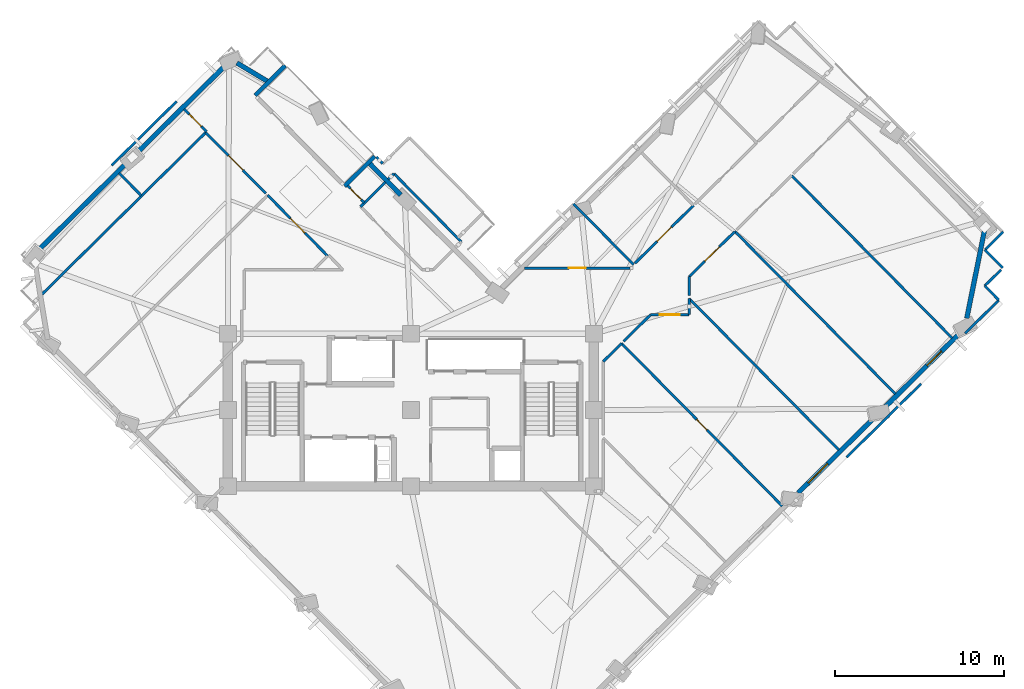
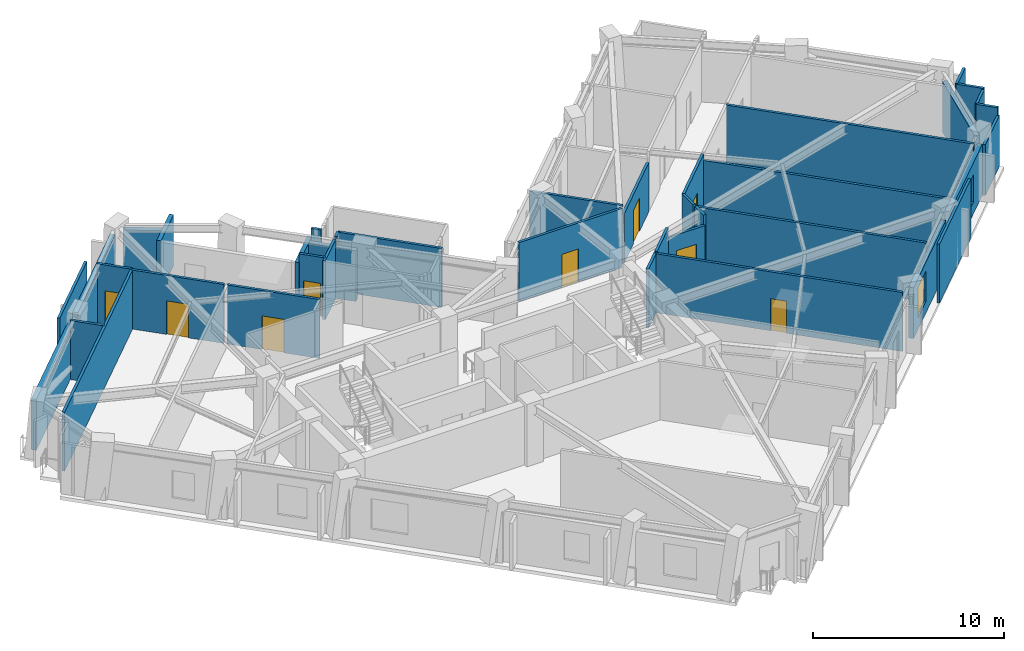
# One storey, part 6 of 11: 39 walls, 9 doors, 2 windows, 11 openings.
"""IFC4 building model written with IfcOpenShell, lengths in metres."""

import ifcopenshell
import ifcopenshell.guid

model = None  # the IFC model being written
_history = None  # IfcOwnerHistory: only IFC2X3 demands one
_inside = {}  # id of a spatial element -> (the spatial element, [elements in it])
_under = {}  # id of a project, library or spatial element -> (it, [spatial elements below it])
_declared = {}  # id of a project -> (the project, [libraries it declares])
_typed = {}  # id of a type object -> (the type object, [elements of that type])
_made_of = {}  # id of a material, layer set ... -> (it, [elements and type objects made of it])


def new_model(schema):
    """Start an empty IFC model of exactly this schema.

    Asked for "IFC4X3", IfcOpenShell would pick the latest addendum, in which some entities
    have other attributes; the version numbers below select the first issue.
    IFC2X3 requires an IfcOwnerHistory on every rooted entity: one is made here for all.
    """
    global model, _history
    if schema == "IFC4X3":
        model = ifcopenshell.file(schema_version=(4, 3, 0, 0))
    else:
        model = ifcopenshell.file(schema=schema)
    _inside.clear()
    _under.clear()
    _declared.clear()
    _typed.clear()
    _made_of.clear()
    _history = None
    if model.schema == "IFC2X3":
        org = make("IfcOrganization", Name="unknown")
        user = make(
            "IfcPersonAndOrganization",
            ThePerson=make("IfcPerson", FamilyName="unknown"),
            TheOrganization=org,
        )
        app = make(
            "IfcApplication",
            ApplicationDeveloper=org,
            Version="unknown",
            ApplicationFullName="unknown",
            ApplicationIdentifier="unknown",
        )
        _history = make(
            "IfcOwnerHistory",
            OwningUser=user,
            OwningApplication=app,
            ChangeAction="ADDED",
            CreationDate=0,
        )
    return model


def make(cls, **values):
    """One entity of the class cls with the attributes given. An attribute that is None is left unset."""
    return model.create_entity(
        cls, **{name: value for name, value in values.items() if value is not None}
    )


def rooted(cls, **values):
    """An entity with a GlobalId (a new one), such as an element, a storey or a relation."""
    return make(cls, GlobalId=ifcopenshell.guid.new(), OwnerHistory=_history, **values)


def si_unit(unit_type, name, prefix=None):
    """IfcSIUnit, for example si_unit("LENGTHUNIT", "METRE", prefix="MILLI")."""
    return make("IfcSIUnit", UnitType=unit_type, Prefix=prefix, Name=name)


def assignment(units):
    """IfcUnitAssignment: the units of a project."""
    return None if units is None else make("IfcUnitAssignment", Units=units)


def point(xyz):
    """IfcCartesianPoint."""
    return None if xyz is None else make("IfcCartesianPoint", Coordinates=xyz)


def direction(xyz):
    """IfcDirection."""
    return None if xyz is None else make("IfcDirection", DirectionRatios=xyz)


def frame(location, z_axis=None, x_axis=None):
    """IfcAxis2Placement3D, a coordinate frame: its origin and axes. An axis left out is left unset."""
    return make(
        "IfcAxis2Placement3D",
        Location=point(location),
        Axis=direction(z_axis),
        RefDirection=direction(x_axis),
    )


def frame_2d(location, x_axis=None):
    """IfcAxis2Placement2D, a coordinate frame in the plane: its origin and x axis."""
    return make(
        "IfcAxis2Placement2D", Location=point(location), RefDirection=direction(x_axis)
    )


def origin():
    """The frame at (0, 0, 0) with its axes left unset."""
    return frame((0.0, 0.0, 0.0))


def place(relative_to, where):
    """IfcLocalPlacement: puts the frame where relative to a parent placement (None: the world)."""
    return make(
        "IfcLocalPlacement", PlacementRelTo=relative_to, RelativePlacement=where
    )


def context(
    kind, dimensions, precision=None, world=None, true_north=None, identifier=None
):
    """IfcGeometricRepresentationContext, for example the 3D "Model" context."""
    return make(
        "IfcGeometricRepresentationContext",
        ContextIdentifier=identifier,
        ContextType=kind,
        CoordinateSpaceDimension=dimensions,
        Precision=precision,
        WorldCoordinateSystem=world,
        TrueNorth=true_north,
    )


def subcontext(parent, identifier, kind, view, scale=None):
    """IfcGeometricRepresentationSubContext, for example "Body" below "Model"."""
    return make(
        "IfcGeometricRepresentationSubContext",
        ContextIdentifier=identifier,
        ContextType=kind,
        ParentContext=parent,
        TargetScale=scale,
        TargetView=view,
    )


def project(units=None, contexts=None):
    """IfcProject with its units and contexts."""
    return rooted(
        "IfcProject",
        Name="project",
        RepresentationContexts=contexts,
        UnitsInContext=assignment(units),
    )


def spatial(cls, under=None, at=None, **own):
    """A site, building, storey or space (cls), placed at a placement, below another one or the project."""
    s = rooted(cls, ObjectPlacement=at, **own)
    if under is not None:
        _under.setdefault(under.id(), (under, []))[1].append(s)
    return s


def profile(cls, at=None, kind="AREA", **sizes):
    """A parametric profile (cls). Its sizes go by their IFC names, for example OverallWidth=200.0."""
    return make(cls, ProfileType=kind, Position=at, **sizes)


def rectangle(**sizes):
    """IfcRectangleProfileDef."""
    return profile("IfcRectangleProfileDef", **sizes)


def extrude(swept, where, along, depth):
    """IfcExtrudedAreaSolid: the profile swept, set in the frame where, extruded along a direction by depth."""
    return make(
        "IfcExtrudedAreaSolid",
        SweptArea=swept,
        Position=where,
        ExtrudedDirection=direction(along),
        Depth=depth,
    )


def shape(context_of_items, identifier, shape_type, items):
    """IfcShapeRepresentation: the items that make up one representation, for example the "Body"."""
    return make(
        "IfcShapeRepresentation",
        ContextOfItems=context_of_items,
        RepresentationIdentifier=identifier,
        RepresentationType=shape_type,
        Items=items,
    )


def material(Name=None, Category=None):
    """IfcMaterial."""
    return make("IfcMaterial", Name=Name, Category=Category)


def layer(
    of_material, thickness, ventilated=None, Name=None, Category=None, Priority=None
):
    """IfcMaterialLayer: one layer of a wall or slab, of a material (None: an air gap)."""
    return make(
        "IfcMaterialLayer",
        Material=of_material,
        LayerThickness=thickness,
        IsVentilated=ventilated,
        Name=Name,
        Category=Category,
        Priority=Priority,
    )


def layer_set(layers, Name=None):
    """IfcMaterialLayerSet."""
    return make("IfcMaterialLayerSet", MaterialLayers=layers, LayerSetName=Name)


def made_of(thing, what):
    """Note that an element or type object is made of a material, layer set ...; save() writes the relation."""
    if what is not None:
        _made_of.setdefault(what.id(), (what, []))[1].append(thing)
    return thing


def type_object(cls, material=None, **own):
    """A type object (cls), such as IfcWallType, which elements share."""
    return made_of(rooted(cls, **own), material)


def element(
    cls,
    number,
    at=None,
    inside=None,
    cuts=None,
    type_object=None,
    material=None,
    context=None,
    identifier="Body",
    shape_type=None,
    held_by="IfcProductDefinitionShape",
    body=None,
    shapes=None,
    **own,
):
    """One element of the class cls, such as IfcWall. Its Tag is "e" and its number.

    at: its placement. inside: the storey or other place that contains it. cuts: it is an
    opening in that element (IfcRelVoidsElement). A single representation is given by context,
    identifier, shape_type and body (its items); several are given by shapes. held_by: the class
    of the entity that holds the representations. save() writes the other relations.
    """
    e = rooted(cls, Tag="e%d" % number, ObjectPlacement=at, **own)
    if body is not None:
        shapes = [shape(context, identifier, shape_type, body)]
    if shapes is not None:
        e.Representation = make(held_by, Representations=shapes)
    if inside is not None:
        _inside.setdefault(inside.id(), (inside, []))[1].append(e)
    if cuts is not None:
        rooted(
            "IfcRelVoidsElement", RelatingBuildingElement=cuts, RelatedOpeningElement=e
        )
    if type_object is not None:
        _typed.setdefault(type_object.id(), (type_object, []))[1].append(e)
    return made_of(e, material)


def fill(opening, filler):
    """IfcRelFillsElement: the door or window that sits in an opening."""
    return rooted(
        "IfcRelFillsElement",
        RelatingOpeningElement=opening,
        RelatedBuildingElement=filler,
    )


def aggregate(whole, parts):
    """IfcRelAggregates: a whole, such as a stair, and the parts it consists of."""
    return rooted("IfcRelAggregates", RelatingObject=whole, RelatedObjects=parts)


def save(model, path):
    """Write the relations noted so far, then the file.

    IfcRelAggregates (storeys below a building ...), IfcRelContainedInSpatialStructure (elements
    in a storey), IfcRelDefinesByType, IfcRelAssociatesMaterial and IfcRelDeclares: one each for
    every whole, place, type object, material and project.
    """
    for whole, parts in _under.values():
        aggregate(whole, parts)
    for where, things in _inside.values():
        rooted(
            "IfcRelContainedInSpatialStructure",
            RelatedElements=things,
            RelatingStructure=where,
        )
    for kind, things in _typed.values():
        rooted("IfcRelDefinesByType", RelatedObjects=things, RelatingType=kind)
    for what, things in _made_of.values():
        rooted("IfcRelAssociatesMaterial", RelatedObjects=things, RelatingMaterial=what)
    for by, libraries in _declared.values():
        rooted("IfcRelDeclares", RelatingContext=by, RelatedDefinitions=libraries)
    model.write(path)


model = new_model("IFC4")

# Units and contexts
model_context = context("Model", 3, precision=1e-05, world=origin(), true_north=direction((0.0, 1.0)))
body_context = subcontext(model_context, "Body", "Model", "MODEL_VIEW")
ifc_project = project(units=[si_unit("LENGTHUNIT", "METRE"), si_unit("AREAUNIT", "SQUARE_METRE"), si_unit("VOLUMEUNIT", "CUBIC_METRE"), si_unit("PLANEANGLEUNIT", "RADIAN"), si_unit("MASSUNIT", "GRAM", prefix="KILO")], contexts=[model_context])

# Site, building, storey
site_placement = place(None, origin())
site = spatial("IfcSite", under=ifc_project, at=site_placement, CompositionType="ELEMENT")
building_placement = place(site_placement, origin())
building = spatial("IfcBuilding", under=site, at=building_placement, Name="Gaonmaruhae Medical Tower", CompositionType="ELEMENT")
storey_placement = place(building_placement, frame((0.0, 0.0, 215.199951171875)))
storey = spatial("IfcBuildingStorey", under=building, at=storey_placement, Name="L51", CompositionType="ELEMENT", Elevation=215.199951171875)

# Walls
ifc_material_1 = material(Name="Precast concrete C45/55", Category="concrete")
ifc_layer_1 = layer(ifc_material_1, 0.239990234375)
ifc_layer_set_1 = layer_set([ifc_layer_1], Name="Precast concrete C45/55")
wall_type_1 = type_object("IfcWallType", Name="EW-240 Ribbon & Shelter Insulated Precast Wall", PredefinedType="SOLIDWALL", material=ifc_layer_set_1)
wall_1_placement = place(storey_placement, frame((20.890380859375, 25.513916015625, 0.0), z_axis=(0.0, 0.0, 1.0), x_axis=(0.71139038819, 0.702797065725, 0.0)))
element("IfcWall", 1, at=wall_1_placement, inside=storey, type_object=wall_type_1, Name="L51 Recessed Terrace Enclosure Wall TERL", PredefinedType="SOLIDWALL", context=body_context, shape_type="SweptSolid", body=[
    extrude(rectangle(XDim=2.500244140625, YDim=0.239990234375, at=frame_2d((1.25, 0.0))), origin(), (0.0, 0.0, 1.0), 3.26513671875),
])
wall_2_placement = place(storey_placement, frame((17.384033203125, 32.620849609375, 0.0), z_axis=(0.0, 0.0, 1.0), x_axis=(-0.711439211914, -0.702747641583, 0.0)))
element("IfcWall", 2, at=wall_2_placement, inside=storey, type_object=wall_type_1, Name="L51 Recessed Terrace Enclosure Wall TERR", PredefinedType="SOLIDWALL", context=body_context, shape_type="SweptSolid", body=[
    extrude(rectangle(XDim=2.5, YDim=0.239990234375, at=frame_2d((1.25, 0.0))), origin(), (0.0, 0.0, 1.0), 3.26513671875),
])

# Wall, opening, window
ifc_layer_2 = layer(ifc_material_1, 0.280029296875)
ifc_layer_set_2 = layer_set([ifc_layer_2], Name="Precast concrete C45/55")
wall_type_2 = type_object("IfcWallType", Name="EW-280 Upper Precast Masonry-Frame Facade Wall", PredefinedType="SOLIDWALL", material=ifc_layer_set_2)
wall_3_placement = place(storey_placement, frame((52.21630859375, 11.91455078125, 0.0), z_axis=(0.0, 0.0, 1.0), x_axis=(-0.711418692423, -0.702768414252, 0.0)))
wall_3 = element("IfcWall", 3, at=wall_3_placement, inside=storey, type_object=wall_type_2, Name="L51 Precast Masonry-Frame Wall S04-S05", PredefinedType="SOLIDWALL", context=body_context, shape_type="SweptSolid", body=[
    extrude(rectangle(XDim=6.40673828125, YDim=0.280029296875, at=frame_2d((3.203369140625, 0.0))), origin(), (0.0, 0.0, 1.0), 3.26513671875),
])
opening_1_placement = place(wall_3_placement, frame((3.969970703125, 0.0, 0.75)))
opening_1 = element("IfcOpeningElement", 4, at=opening_1_placement, cuts=wall_3, Name="Opening WN-01", PredefinedType="OPENING", context=body_context, shape_type="SweptSolid", body=[
    extrude(rectangle(XDim=1.60009765625, YDim=1.949951171875, at=frame_2d((0.800048828125, 0.97509765625))), frame((0.0, 0.14990234375, 0.0), z_axis=(0.0, -1.0, 0.0), x_axis=(1.0, 0.0, 0.0)), (0.0, 0.0, 1.0), 0.300048828125),
])
ifc_material_2 = material(Name="Anodised aluminium and Low-E double glazing", Category="aluminium")
window_type_1 = type_object("IfcWindowType", Name="WN-01 Ward Punched Acoustic Window 1600x1950", PartitioningType="SINGLE_PANEL", PredefinedType="WINDOW", material=ifc_material_2)
window_1_placement = place(opening_1_placement, origin())
window_1 = element("IfcWindow", 5, at=window_1_placement, inside=storey, type_object=window_type_1, Name="L51 Modular Facade Window S04", OverallHeight=1.949951171875, OverallWidth=1.60009765625, PartitioningType="SINGLE_PANEL", PredefinedType="WINDOW", context=body_context, shape_type="SweptSolid", body=[
    extrude(rectangle(XDim=1.60009765625, YDim=1.949951171875, at=frame_2d((0.800048828125, 0.97509765625))), frame((0.0, 0.030029296875, 0.0), z_axis=(0.0, -1.0, 0.0), x_axis=(1.0, 0.0, 0.0)), (0.0, 0.0, 1.0), 0.06005859375),
])
fill(opening_1, window_1)

wall_4_placement = place(storey_placement, frame((57.345703125, 16.9814453125, 0.0), z_axis=(0.0, 0.0, 1.0), x_axis=(-0.711410830426, -0.702776372932, 0.0)))
wall_4 = element("IfcWall", 6, at=wall_4_placement, inside=storey, type_object=wall_type_2, Name="L51 Precast Masonry-Frame Wall S05-S06", PredefinedType="SOLIDWALL", context=body_context, shape_type="SweptSolid", body=[
    extrude(rectangle(XDim=6.41845703125, YDim=0.280029296875, at=frame_2d((3.209228515625, 0.0))), origin(), (0.0, 0.0, 1.0), 3.26513671875),
])
opening_2_placement = place(wall_4_placement, frame((1.730712890625, 0.0, 0.75)))
opening_2 = element("IfcOpeningElement", 7, at=opening_2_placement, cuts=wall_4, Name="Opening WN-05", PredefinedType="OPENING", context=body_context, shape_type="SweptSolid", body=[
    extrude(rectangle(XDim=1.199951171875, YDim=1.75, at=frame_2d((0.60009765625, 0.875))), frame((0.0, 0.14990234375, 0.0), z_axis=(0.0, -1.0, 0.0), x_axis=(1.0, 0.0, 0.0)), (0.0, 0.0, 1.0), 0.300048828125),
])
window_type_2 = type_object("IfcWindowType", Name="WN-05 Support & Staff Punched Window 1200x1750", PartitioningType="SINGLE_PANEL", PredefinedType="WINDOW", material=ifc_material_2)
window_2_placement = place(opening_2_placement, origin())
window_2 = element("IfcWindow", 8, at=window_2_placement, inside=storey, type_object=window_type_2, Name="L51 Modular Facade Window S05", OverallHeight=1.75, OverallWidth=1.199951171875, PartitioningType="SINGLE_PANEL", PredefinedType="WINDOW", context=body_context, shape_type="SweptSolid", body=[
    extrude(rectangle(XDim=1.199951171875, YDim=1.75, at=frame_2d((0.60009765625, 0.875))), frame((0.0, 0.030029296875, 0.0), z_axis=(0.0, -1.0, 0.0), x_axis=(1.0, 0.0, 0.0)), (0.0, 0.0, 1.0), 0.06005859375),
])
fill(opening_2, window_2)

# Walls
wall_5_placement = place(storey_placement, frame((58.65478515625, 22.90478515625, 0.0), z_axis=(0.0, 0.0, 1.0), x_axis=(-0.197650115181, -0.98027263145, 0.0)))
element("IfcWall", 9, at=wall_5_placement, inside=storey, type_object=wall_type_2, Name="L51 Precast Masonry-Frame Wall S06-E01", PredefinedType="SOLIDWALL", context=body_context, shape_type="SweptSolid", body=[
    extrude(rectangle(XDim=5.294189453125, YDim=0.280029296875, at=frame_2d((2.64697265625, 0.0))), origin(), (0.0, 0.0, 1.0), 3.26513671875),
])
wall_6_placement = place(storey_placement, frame((22.320068359375, 26.898193359375, 0.0), z_axis=(0.0, 0.0, 1.0), x_axis=(0.702813375799, -0.711374274765, 0.0)))
element("IfcWall", 10, at=wall_6_placement, inside=storey, type_object=wall_type_2, Name="L51 Precast Masonry-Frame Wall NE01-NE02", PredefinedType="SOLIDWALL", context=body_context, shape_type="SweptSolid", body=[
    extrude(rectangle(XDim=2.6806640625, YDim=0.280029296875, at=frame_2d((1.34033203125, 0.0))), origin(), (0.0, 0.0, 1.0), 3.2451171875),
])
wall_7_placement = place(storey_placement, frame((14.53369140625, 32.781982421875, 0.0), z_axis=(0.0, 0.0, 1.0), x_axis=(0.857423290596, -0.514611796157, 0.0)))
element("IfcWall", 11, at=wall_7_placement, inside=storey, type_object=wall_type_2, Name="L51 Precast Masonry-Frame Wall NE02-N01", PredefinedType="SOLIDWALL", context=body_context, shape_type="SweptSolid", body=[
    extrude(rectangle(XDim=2.165771484375, YDim=0.280029296875, at=frame_2d((1.0830078125, 0.0))), origin(), (0.0, 0.0, 1.0), 3.2451171875),
])
wall_8_placement = place(storey_placement, frame((8.5224609375, 27.366943359375, 0.0), z_axis=(0.0, 0.0, 1.0), x_axis=(0.711412048905, 0.702775139481, 0.0)))
element("IfcWall", 12, at=wall_8_placement, inside=storey, type_object=wall_type_2, Name="L51 Precast Masonry-Frame Wall N01-N02", PredefinedType="SOLIDWALL", context=body_context, shape_type="SweptSolid", body=[
    extrude(rectangle(XDim=7.434326171875, YDim=0.280029296875, at=frame_2d((3.71728515625, 0.0))), origin(), (0.0, 0.0, 1.0), 3.26513671875),
])
wall_9_placement = place(storey_placement, frame((2.666259765625, 21.581787109375, 0.0), z_axis=(0.0, 0.0, 1.0), x_axis=(0.711415560766, 0.702771584443, 0.0)))
element("IfcWall", 13, at=wall_9_placement, inside=storey, type_object=wall_type_2, Name="L51 Precast Masonry-Frame Wall N02-N03", PredefinedType="SOLIDWALL", context=body_context, shape_type="SweptSolid", body=[
    extrude(rectangle(XDim=7.484619140625, YDim=0.280029296875, at=frame_2d((3.7421875, 0.0))), origin(), (0.0, 0.0, 1.0), 3.26513671875),
])

# Wall, opening, door
ifc_material_3 = material(Name="Gypsum board partition", Category="gypsum")
ifc_layer_3 = layer(ifc_material_3, 0.14990234375)
ifc_layer_set_3 = layer_set([ifc_layer_3], Name="Gypsum board partition")
wall_type_3 = type_object("IfcWallType", Name="PW-150 Rated Clinical Corridor Partition", PredefinedType="PARTITIONING", material=ifc_layer_set_3)
wall_10_placement = place(storey_placement, frame((37.235107421875, 16.23193359375, 0.0), z_axis=(0.0, 0.0, 1.0), x_axis=(0.702784644296, -0.711402659358, 0.0)))
wall_10 = element("IfcWall", 14, at=wall_10_placement, inside=storey, type_object=wall_type_3, Name="L51 Interior Partition L51-SUP05-17", PredefinedType="PARTITIONING", context=body_context, shape_type="SweptSolid", body=[
    extrude(rectangle(XDim=13.484619140625, YDim=0.14990234375, at=frame_2d((6.7421875, 0.0))), origin(), (0.0, 0.0, 1.0), 3.780029296875),
])
opening_3_placement = place(wall_10_placement, frame((6.3125, 0.0, 0.0)))
opening_3 = element("IfcOpeningElement", 15, at=opening_3_placement, cuts=wall_10, Name="Opening AD-01", PredefinedType="OPENING", context=body_context, shape_type="SweptSolid", body=[
    extrude(rectangle(XDim=0.860107421875, YDim=2.06005859375, at=frame_2d((0.43017578125, 1.030029296875))), frame((0.0, 0.0849609375, 0.0), z_axis=(0.0, -1.0, 0.0), x_axis=(1.0, 0.0, 0.0)), (0.0, 0.0, 1.0), 0.169921875),
])
ifc_material_4 = material(Name="Powder-coated steel access door", Category="steel")
door_type_1 = type_object("IfcDoorType", Name="AD-01 Riser & Closet Access Fire Door 860x2060", OperationType="NOTDEFINED", PredefinedType="DOOR", material=ifc_material_4)
door_1_placement = place(opening_3_placement, origin())
door_1 = element("IfcDoor", 16, at=door_1_placement, inside=storey, type_object=door_type_1, Name="L51 Clinical Biomedical Charting Office Sliding Door", OperationType="SLIDING_TO_LEFT", OverallHeight=2.06005859375, OverallWidth=0.860107421875, PredefinedType="DOOR", context=body_context, shape_type="SweptSolid", body=[
    extrude(rectangle(XDim=0.860107421875, YDim=2.06005859375, at=frame_2d((0.43017578125, 1.030029296875))), frame((0.0, 0.02490234375, 0.0), z_axis=(0.0, -1.0, 0.0), x_axis=(1.0, 0.0, 0.0)), (0.0, 0.0, 1.0), 0.050048828125),
])
fill(opening_3, door_1)

# Walls
wall_11_placement = place(storey_placement, frame((36.14990234375, 15.159912109375, 0.0), z_axis=(0.0, 0.0, 1.0), x_axis=(0.711414882023, 0.702772271533, 0.0)))
element("IfcWall", 17, at=wall_11_placement, inside=storey, type_object=wall_type_3, Name="L51 Interior Partition L51-SUP05-19", PredefinedType="PARTITIONING", context=body_context, shape_type="SweptSolid", body=[
    extrude(rectangle(XDim=1.525390625, YDim=0.14990234375, at=frame_2d((0.7626953125, 0.0))), origin(), (0.0, 0.0, 1.0), 3.780029296875),
])
wall_12_placement = place(storey_placement, frame((41.22998046875, 17.949951171875, 0.0), z_axis=(0.0, 0.0, 1.0), x_axis=(0.0, 1.0, 0.0)))
element("IfcWall", 18, at=wall_12_placement, inside=storey, type_object=wall_type_3, Name="L51 Interior Partition L51-SUP06-20", PredefinedType="PARTITIONING", context=body_context, shape_type="SweptSolid", body=[
    extrude(rectangle(XDim=0.926025390625, YDim=0.14990234375, at=frame_2d((0.462890625, 0.0))), origin(), (0.0, 0.0, 1.0), 3.780029296875),
])
wall_13_placement = place(storey_placement, frame((41.22998046875, 18.8759765625, 0.0), z_axis=(0.0, 0.0, 1.0), x_axis=(0.702748277784, -0.711438583485, 0.0)))
element("IfcWall", 19, at=wall_13_placement, inside=storey, type_object=wall_type_3, Name="L51 Interior Partition L51-SUP06-21", PredefinedType="PARTITIONING", context=body_context, shape_type="SweptSolid", body=[
    extrude(rectangle(XDim=12.557861328125, YDim=0.14990234375, at=frame_2d((6.27880859375, 0.0))), origin(), (0.0, 0.0, 1.0), 3.780029296875),
])
wall_14_placement = place(storey_placement, frame((37.34912109375, 16.344970703125, 0.0), z_axis=(0.0, 0.0, 1.0), x_axis=(0.711558299302, 0.70262706089, 0.0)))
element("IfcWall", 20, at=wall_14_placement, inside=storey, type_object=wall_type_3, Name="L51 Interior Partition L51-SUP06-23", PredefinedType="PARTITIONING", context=body_context, shape_type="SweptSolid", body=[
    extrude(rectangle(XDim=2.241455078125, YDim=0.14990234375, at=frame_2d((1.12060546875, 0.0))), origin(), (0.0, 0.0, 1.0), 3.780029296875),
])

# Wall, opening, door
wall_15_placement = place(storey_placement, frame((38.944091796875, 17.919921875, 0.0), z_axis=(0.0, 0.0, 1.0), x_axis=(1.0, 0.0, 0.0)))
wall_15 = element("IfcWall", 21, at=wall_15_placement, inside=storey, type_object=wall_type_3, Name="L51 Interior Partition L51-SUP06-24", PredefinedType="PARTITIONING", context=body_context, shape_type="SweptSolid", body=[
    extrude(rectangle(XDim=2.2587890625, YDim=0.14990234375, at=frame_2d((1.12939453125, 0.0))), origin(), (0.0, 0.0, 1.0), 3.1650390625),
])
opening_4_placement = place(wall_15_placement, frame((0.529541015625, 0.0, 0.0)))
opening_4 = element("IfcOpeningElement", 22, at=opening_4_placement, cuts=wall_15, Name="Opening CD-02", PredefinedType="OPENING", context=body_context, shape_type="SweptSolid", body=[
    extrude(rectangle(XDim=1.199951171875, YDim=2.14990234375, at=frame_2d((0.60009765625, 1.074951171875))), frame((0.0, 0.0849609375, 0.0), z_axis=(0.0, -1.0, 0.0), x_axis=(1.0, 0.0, 0.0)), (0.0, 0.0, 1.0), 0.169921875),
])
ifc_material_5 = material(Name="Antimicrobial laminate timber fire door", Category="wood")
door_type_2 = type_object("IfcDoorType", Name="CD-02 Clinical Treatment & Procedure Door 1200x2150", OperationType="NOTDEFINED", PredefinedType="DOOR", material=ifc_material_5)
door_2_placement = place(opening_4_placement, origin())
door_2 = element("IfcDoor", 23, at=door_2_placement, inside=storey, type_object=door_type_2, Name="L51 Clinical Biomedical Charting Office Door", OperationType="SINGLE_SWING_LEFT", OverallHeight=2.14990234375, OverallWidth=1.199951171875, PredefinedType="DOOR", context=body_context, shape_type="SweptSolid", body=[
    extrude(rectangle(XDim=1.199951171875, YDim=2.14990234375, at=frame_2d((0.60009765625, 1.074951171875))), frame((0.0, 0.02490234375, 0.0), z_axis=(0.0, -1.0, 0.0), x_axis=(1.0, 0.0, 0.0)), (0.0, 0.0, 1.0), 0.050048828125),
])
fill(opening_4, door_2)

# Walls
wall_16_placement = place(storey_placement, frame((43.923095703125, 22.837890625, 0.0), z_axis=(0.0, 0.0, 1.0), x_axis=(0.702757042413, -0.711429925811, 0.0)))
element("IfcWall", 24, at=wall_16_placement, inside=storey, type_object=wall_type_3, Name="L51 Interior Partition L51-SUP07-25", PredefinedType="PARTITIONING", context=body_context, shape_type="SweptSolid", body=[
    extrude(rectangle(XDim=13.48388671875, YDim=0.14990234375, at=frame_2d((6.741943359375, 0.0))), origin(), (0.0, 0.0, 1.0), 3.4150390625),
])
wall_17_placement = place(storey_placement, frame((41.22998046875, 19.053955078125, 0.0), z_axis=(0.0, 0.0, 1.0), x_axis=(0.0, 1.0, 0.0)))
element("IfcWall", 25, at=wall_17_placement, inside=storey, type_object=wall_type_3, Name="L51 Interior Partition L51-SUP07-27", PredefinedType="PARTITIONING", context=body_context, shape_type="SweptSolid", body=[
    extrude(rectangle(XDim=1.1240234375, YDim=0.14990234375, at=frame_2d((0.56201171875, 0.0))), origin(), (0.0, 0.0, 1.0), 3.780029296875),
])

# Wall, opening, door
wall_18_placement = place(storey_placement, frame((41.22998046875, 20.177978515625, 0.0), z_axis=(0.0, 0.0, 1.0), x_axis=(0.711479053184, 0.70270730527, 0.0)))
wall_18 = element("IfcWall", 26, at=wall_18_placement, inside=storey, type_object=wall_type_3, Name="L51 Interior Partition L51-SUP07-28", PredefinedType="PARTITIONING", context=body_context, shape_type="SweptSolid", body=[
    extrude(rectangle(XDim=3.78515625, YDim=0.14990234375, at=frame_2d((1.892578125, 0.0))), origin(), (0.0, 0.0, 1.0), 3.780029296875),
])
opening_5_placement = place(wall_18_placement, frame((1.29248046875, 0.0, 0.0)))
opening_5 = element("IfcOpeningElement", 27, at=opening_5_placement, cuts=wall_18, Name="Opening CD-02", PredefinedType="OPENING", context=body_context, shape_type="SweptSolid", body=[
    extrude(rectangle(XDim=1.199951171875, YDim=2.14990234375, at=frame_2d((0.60009765625, 1.074951171875))), frame((0.0, 0.0849609375, 0.0), z_axis=(0.0, -1.0, 0.0), x_axis=(1.0, 0.0, 0.0)), (0.0, 0.0, 1.0), 0.169921875),
])
door_3_placement = place(opening_5_placement, origin())
door_3 = element("IfcDoor", 28, at=door_3_placement, inside=storey, type_object=door_type_2, Name="L51 Clinical Biomedical Charting Office Door", OperationType="SINGLE_SWING_RIGHT", OverallHeight=2.14990234375, OverallWidth=1.199951171875, PredefinedType="DOOR", context=body_context, shape_type="SweptSolid", body=[
    extrude(rectangle(XDim=1.199951171875, YDim=2.14990234375, at=frame_2d((0.60009765625, 1.074951171875))), frame((0.0, 0.02490234375, 0.0), z_axis=(0.0, -1.0, 0.0), x_axis=(1.0, 0.0, 0.0)), (0.0, 0.0, 1.0), 0.050048828125),
])
fill(opening_5, door_3)

# Walls
wall_19_placement = place(storey_placement, frame((47.26611328125, 26.14111328125, 0.0), z_axis=(0.0, 0.0, 1.0), x_axis=(0.702821292956, -0.711366452799, 0.0)))
element("IfcWall", 29, at=wall_19_placement, inside=storey, type_object=wall_type_3, Name="L51 Interior Partition L51-SUP08-30", PredefinedType="PARTITIONING", context=body_context, shape_type="SweptSolid", body=[
    extrude(rectangle(XDim=13.4853515625, YDim=0.14990234375, at=frame_2d((6.74267578125, 0.0))), origin(), (0.0, 0.0, 1.0), 3.780029296875),
])
wall_20_placement = place(storey_placement, frame((59.5, 18.787109375, 0.0), z_axis=(0.0, 0.0, 1.0), x_axis=(-0.711363988973, -0.702823786729, 0.0)))
element("IfcWall", 30, at=wall_20_placement, inside=storey, type_object=wall_type_3, Name="L51 Interior Partition L51-SUP09-31", PredefinedType="PARTITIONING", context=body_context, shape_type="SweptSolid", body=[
    extrude(rectangle(XDim=2.801513671875, YDim=0.14990234375, at=frame_2d((1.40087890625, 0.0))), origin(), (0.0, 0.0, 1.0), 3.26513671875),
])
wall_21_placement = place(storey_placement, frame((59.6240234375, 20.568115234375, 0.0), z_axis=(0.0, 0.0, 1.0), x_axis=(-0.711193738227, -0.702996064503, 0.0)))
element("IfcWall", 31, at=wall_21_placement, inside=storey, type_object=wall_type_3, Name="L51 Interior Partition L51-SUP09-35", PredefinedType="PARTITIONING", context=body_context, shape_type="SweptSolid", body=[
    extrude(rectangle(XDim=1.340087890625, YDim=0.14990234375, at=frame_2d((0.669921875, 0.0))), origin(), (0.0, 0.0, 1.0), 3.780029296875),
])
wall_22_placement = place(storey_placement, frame((58.6708984375, 19.6259765625, 0.0), z_axis=(0.0, 0.0, 1.0), x_axis=(0.702954763659, -0.71123456064, 0.0)))
element("IfcWall", 32, at=wall_22_placement, inside=storey, type_object=wall_type_3, Name="L51 Interior Partition L51-SUP09-36", PredefinedType="PARTITIONING", context=body_context, shape_type="SweptSolid", body=[
    extrude(rectangle(XDim=1.179443359375, YDim=0.14990234375, at=frame_2d((0.58984375, 0.0))), origin(), (0.0, 0.0, 1.0), 3.780029296875),
])

# Wall, opening, door
wall_23_placement = place(storey_placement, frame((16.346923828125, 24.97607421875, 0.0), z_axis=(0.0, 0.0, 1.0), x_axis=(0.702830826081, -0.711357034062, 0.0)))
wall_23 = element("IfcWall", 33, at=wall_23_placement, inside=storey, type_object=wall_type_3, Name="L51 Interior Partition L51-WOF13-48", PredefinedType="PARTITIONING", context=body_context, shape_type="SweptSolid", body=[
    extrude(rectangle(XDim=5.03955078125, YDim=0.14990234375, at=frame_2d((2.519775390625, 0.0))), origin(), (0.0, 0.0, 1.0), 3.780029296875),
])
opening_6_placement = place(wall_23_placement, frame((1.919921875, 0.0, 0.0)))
opening_6 = element("IfcOpeningElement", 34, at=opening_6_placement, cuts=wall_23, Name="Opening CD-02", PredefinedType="OPENING", context=body_context, shape_type="SweptSolid", body=[
    extrude(rectangle(XDim=1.199951171875, YDim=2.14990234375, at=frame_2d((0.60009765625, 1.074951171875))), frame((0.0, 0.0849609375, 0.0), z_axis=(0.0, -1.0, 0.0), x_axis=(1.0, 0.0, 0.0)), (0.0, 0.0, 1.0), 0.169921875),
])
door_4_placement = place(opening_6_placement, origin())
door_4 = element("IfcDoor", 35, at=door_4_placement, inside=storey, type_object=door_type_2, Name="L51 Ward Physician Reporting Office Door", OperationType="SINGLE_SWING_RIGHT", OverallHeight=2.14990234375, OverallWidth=1.199951171875, PredefinedType="DOOR", context=body_context, shape_type="SweptSolid", body=[
    extrude(rectangle(XDim=1.199951171875, YDim=2.14990234375, at=frame_2d((0.60009765625, 1.074951171875))), frame((0.0, 0.02490234375, 0.0), z_axis=(0.0, -1.0, 0.0), x_axis=(1.0, 0.0, 0.0)), (0.0, 0.0, 1.0), 0.050048828125),
])
fill(opening_6, door_4)

# Wall
wall_24_placement = place(storey_placement, frame((3.0380859375, 19.137939453125, 0.0), z_axis=(0.0, 0.0, 1.0), x_axis=(0.71143794273, 0.702748926462, 0.0)))
element("IfcWall", 36, at=wall_24_placement, inside=storey, type_object=wall_type_3, Name="L51 Interior Partition L51-WOF14-52", PredefinedType="PARTITIONING", context=body_context, shape_type="SweptSolid", body=[
    extrude(rectangle(XDim=13.571044921875, YDim=0.14990234375, at=frame_2d((6.78564453125, 0.0))), origin(), (0.0, 0.0, 1.0), 3.780029296875),
])

# Wall, opening, door
wall_25_placement = place(storey_placement, frame((12.693115234375, 28.675048828125, 0.0), z_axis=(0.0, 0.0, 1.0), x_axis=(0.702830826081, -0.711357034062, 0.0)))
wall_25 = element("IfcWall", 37, at=wall_25_placement, inside=storey, type_object=wall_type_3, Name="L51 Interior Partition L51-WOF14-53", PredefinedType="PARTITIONING", context=body_context, shape_type="SweptSolid", body=[
    extrude(rectangle(XDim=5.03955078125, YDim=0.14990234375, at=frame_2d((2.519775390625, 0.0))), origin(), (0.0, 0.0, 1.0), 3.780029296875),
])
opening_7_placement = place(wall_25_placement, frame((1.919921875, 0.0, 0.0)))
opening_7 = element("IfcOpeningElement", 38, at=opening_7_placement, cuts=wall_25, Name="Opening CD-02", PredefinedType="OPENING", context=body_context, shape_type="SweptSolid", body=[
    extrude(rectangle(XDim=1.199951171875, YDim=2.14990234375, at=frame_2d((0.60009765625, 1.074951171875))), frame((0.0, 0.0849609375, 0.0), z_axis=(0.0, -1.0, 0.0), x_axis=(1.0, 0.0, 0.0)), (0.0, 0.0, 1.0), 0.169921875),
])
door_5_placement = place(opening_7_placement, origin())
door_5 = element("IfcDoor", 39, at=door_5_placement, inside=storey, type_object=door_type_2, Name="L51 Ward Physician Reporting Office Door", OperationType="SINGLE_SWING_LEFT", OverallHeight=2.14990234375, OverallWidth=1.199951171875, PredefinedType="DOOR", context=body_context, shape_type="SweptSolid", body=[
    extrude(rectangle(XDim=1.199951171875, YDim=2.14990234375, at=frame_2d((0.60009765625, 1.074951171875))), frame((0.0, 0.02490234375, 0.0), z_axis=(0.0, -1.0, 0.0), x_axis=(1.0, 0.0, 0.0)), (0.0, 0.0, 1.0), 0.050048828125),
])
fill(opening_7, door_5)

# Wall
wall_26_placement = place(storey_placement, frame((34.39990234375, 24.466064453125, 0.0), z_axis=(0.0, 0.0, 1.0), x_axis=(0.70270973466, -0.711476653738, 0.0)))
element("IfcWall", 40, at=wall_26_placement, inside=storey, type_object=wall_type_3, Name="L51 Interior Partition L51-IE02-58", PredefinedType="PARTITIONING", context=body_context, shape_type="SweptSolid", body=[
    extrude(rectangle(XDim=5.04052734375, YDim=0.14990234375, at=frame_2d((2.520263671875, 0.0))), origin(), (0.0, 0.0, 1.0), 3.780029296875),
])

# Wall, opening, door
wall_27_placement = place(storey_placement, frame((37.739013671875, 20.679931640625, 0.0), z_axis=(0.0, 0.0, 1.0), x_axis=(-1.0, 0.0, 0.0)))
wall_27 = element("IfcWall", 41, at=wall_27_placement, inside=storey, type_object=wall_type_3, Name="L51 Interior Partition L51-IE02-59", PredefinedType="PARTITIONING", context=body_context, shape_type="SweptSolid", body=[
    extrude(rectangle(XDim=6.22509765625, YDim=0.14990234375, at=frame_2d((3.112548828125, 0.0))), origin(), (0.0, 0.0, 1.0), 3.780029296875),
])
opening_8_placement = place(wall_27_placement, frame((2.612548828125, 0.0, 0.0)))
opening_8 = element("IfcOpeningElement", 42, at=opening_8_placement, cuts=wall_27, Name="Opening CD-01", PredefinedType="OPENING", context=body_context, shape_type="SweptSolid", body=[
    extrude(rectangle(XDim=1.0, YDim=2.1201171875, at=frame_2d((0.5, 1.06005859375))), frame((0.0, 0.0849609375, 0.0), z_axis=(0.0, -1.0, 0.0), x_axis=(1.0, 0.0, 0.0)), (0.0, 0.0, 1.0), 0.169921875),
])
door_type_3 = type_object("IfcDoorType", Name="CD-01 Consultation & Physician Office Door 1000x2120", OperationType="NOTDEFINED", PredefinedType="DOOR", material=ifc_material_5)
door_6_placement = place(opening_8_placement, origin())
door_6 = element("IfcDoor", 43, at=door_6_placement, inside=storey, type_object=door_type_3, Name="L51 Acute Treatment Examination Room Door", OperationType="SINGLE_SWING_RIGHT", OverallHeight=2.1201171875, OverallWidth=1.0, PredefinedType="DOOR", context=body_context, shape_type="SweptSolid", body=[
    extrude(rectangle(XDim=1.0, YDim=2.1201171875, at=frame_2d((0.5, 1.06005859375))), frame((0.0, 0.02490234375, 0.0), z_axis=(0.0, -1.0, 0.0), x_axis=(1.0, 0.0, 0.0)), (0.0, 0.0, 1.0), 0.050048828125),
])
fill(opening_8, door_6)

wall_28_placement = place(storey_placement, frame((41.48291015625, 24.3779296875, 0.0), z_axis=(0.0, 0.0, 1.0), x_axis=(-0.711415843034, -0.702771298703, 0.0)))
wall_28 = element("IfcWall", 44, at=wall_28_placement, inside=storey, type_object=wall_type_3, Name="L51 Interior Partition L51-IE03-61", PredefinedType="PARTITIONING", context=body_context, shape_type="SweptSolid", body=[
    extrude(rectangle(XDim=4.857666015625, YDim=0.14990234375, at=frame_2d((2.4287109375, 0.0))), origin(), (0.0, 0.0, 1.0), 3.1650390625),
])
opening_9_placement = place(wall_28_placement, frame((1.8291015625, 0.0, 0.0)))
opening_9 = element("IfcOpeningElement", 45, at=opening_9_placement, cuts=wall_28, Name="Opening CD-02", PredefinedType="OPENING", context=body_context, shape_type="SweptSolid", body=[
    extrude(rectangle(XDim=1.199951171875, YDim=2.14990234375, at=frame_2d((0.60009765625, 1.074951171875))), frame((0.0, 0.0849609375, 0.0), z_axis=(0.0, -1.0, 0.0), x_axis=(1.0, 0.0, 0.0)), (0.0, 0.0, 1.0), 0.169921875),
])
door_7_placement = place(opening_9_placement, origin())
door_7 = element("IfcDoor", 46, at=door_7_placement, inside=storey, type_object=door_type_2, Name="L51 Clean Medication Preparation Room Door", OperationType="SINGLE_SWING_LEFT", OverallHeight=2.14990234375, OverallWidth=1.199951171875, PredefinedType="DOOR", context=body_context, shape_type="SweptSolid", body=[
    extrude(rectangle(XDim=1.199951171875, YDim=2.14990234375, at=frame_2d((0.60009765625, 1.074951171875))), frame((0.0, 0.02490234375, 0.0), z_axis=(0.0, -1.0, 0.0), x_axis=(1.0, 0.0, 0.0)), (0.0, 0.0, 1.0), 0.050048828125),
])
fill(opening_9, door_7)

# Walls
wall_29_placement = place(storey_placement, frame((21.833984375, 24.302978515625, 0.0), z_axis=(0.0, 0.0, 1.0), x_axis=(0.711430022563, 0.702756944466, 0.0)))
element("IfcWall", 47, at=wall_29_placement, inside=storey, type_object=wall_type_3, Name="L51 Interior Partition L51-IN01-75", PredefinedType="PARTITIONING", context=body_context, shape_type="SweptSolid", body=[
    extrude(rectangle(XDim=2.054931640625, YDim=0.14990234375, at=frame_2d((1.02734375, 0.0))), origin(), (0.0, 0.0, 1.0), 3.780029296875),
])
wall_30_placement = place(storey_placement, frame((23.4599609375, 25.907958984375, 0.0), z_axis=(0.0, 0.0, 1.0), x_axis=(0.711121484403, 0.70306915337, 0.0)))
element("IfcWall", 48, at=wall_30_placement, inside=storey, type_object=wall_type_3, Name="L51 Interior Partition L51-IN01-76", PredefinedType="PARTITIONING", context=body_context, shape_type="SweptSolid", body=[
    extrude(rectangle(XDim=0.485107421875, YDim=0.14990234375, at=frame_2d((0.24267578125, 0.0))), origin(), (0.0, 0.0, 1.0), 3.780029296875),
])
wall_31_placement = place(storey_placement, frame((23.804931640625, 26.2490234375, 0.0), z_axis=(0.0, 0.0, 1.0), x_axis=(0.702776263114, -0.711410938911, 0.0)))
element("IfcWall", 49, at=wall_31_placement, inside=storey, type_object=wall_type_3, Name="L51 Interior Partition L51-IN01-77", PredefinedType="PARTITIONING", context=body_context, shape_type="SweptSolid", body=[
    extrude(rectangle(XDim=5.65478515625, YDim=0.14990234375, at=frame_2d((2.827392578125, 0.0))), origin(), (0.0, 0.0, 1.0), 3.780029296875),
])

# Wall, opening, door
wall_32_placement = place(storey_placement, frame((11.41796875, 30.06591796875, 0.0), z_axis=(0.0, 0.0, 1.0), x_axis=(0.702626007323, -0.711559339643, 0.0)))
wall_32 = element("IfcWall", 50, at=wall_32_placement, inside=storey, type_object=wall_type_3, Name="L51 Interior Partition L51-RM02-87", PredefinedType="PARTITIONING", context=body_context, shape_type="SweptSolid", body=[
    extrude(rectangle(XDim=1.8857421875, YDim=0.14990234375, at=frame_2d((0.94287109375, 0.0))), origin(), (0.0, 0.0, 1.0), 3.780029296875),
])
opening_10_placement = place(wall_32_placement, frame((0.44287109375, 0.0, 0.0)))
opening_10 = element("IfcOpeningElement", 51, at=opening_10_placement, cuts=wall_32, Name="Opening CD-01", PredefinedType="OPENING", context=body_context, shape_type="SweptSolid", body=[
    extrude(rectangle(XDim=1.0, YDim=2.1201171875, at=frame_2d((0.5, 1.06005859375))), frame((0.0, 0.0849609375, 0.0), z_axis=(0.0, -1.0, 0.0), x_axis=(1.0, 0.0, 0.0)), (0.0, 0.0, 1.0), 0.169921875),
])
door_8_placement = place(opening_10_placement, origin())
door_8 = element("IfcDoor", 52, at=door_8_placement, inside=storey, type_object=door_type_3, Name="L51 Care Team Clinical Charting Office Door", OperationType="SINGLE_SWING_RIGHT", OverallHeight=2.1201171875, OverallWidth=1.0, PredefinedType="DOOR", context=body_context, shape_type="SweptSolid", body=[
    extrude(rectangle(XDim=1.0, YDim=2.1201171875, at=frame_2d((0.5, 1.06005859375))), frame((0.0, 0.02490234375, 0.0), z_axis=(0.0, -1.0, 0.0), x_axis=(1.0, 0.0, 0.0)), (0.0, 0.0, 1.0), 0.050048828125),
])
fill(opening_10, door_8)

# Walls
wall_33_placement = place(storey_placement, frame((8.89404296875, 24.950927734375, 0.0), z_axis=(0.0, 0.0, 1.0), x_axis=(-0.703036635776, 0.711153632316, 0.0)))
element("IfcWall", 53, at=wall_33_placement, inside=storey, type_object=wall_type_3, Name="L51 Interior Partition L51-RM02-90", PredefinedType="PARTITIONING", context=body_context, shape_type="SweptSolid", body=[
    extrude(rectangle(XDim=1.86474609375, YDim=0.14990234375, at=frame_2d((0.932373046875, 0.0))), origin(), (0.0, 0.0, 1.0), 3.780029296875),
])
wall_34_placement = place(storey_placement, frame((7.136962890625, 26.72900390625, 0.0), z_axis=(0.0, 0.0, 1.0), x_axis=(0.711441412602, 0.70274541367, 0.0)))
element("IfcWall", 54, at=wall_34_placement, inside=storey, type_object=wall_type_3, Name="L51 Interior Partition L51-RM02-91", PredefinedType="PARTITIONING", context=body_context, shape_type="SweptSolid", body=[
    extrude(rectangle(XDim=5.390380859375, YDim=0.14990234375, at=frame_2d((2.6953125, 0.0))), origin(), (0.0, 0.0, 1.0), 3.780029296875),
])

# Wall, opening, door
wall_35_placement = place(storey_placement, frame((22.048095703125, 24.541015625, 0.0), z_axis=(0.0, 0.0, 1.0), x_axis=(-0.702593101483, 0.711591830861, 0.0)))
wall_35 = element("IfcWall", 55, at=wall_35_placement, inside=storey, type_object=wall_type_3, Name="L51 Interior Partition L51-RM03-92", PredefinedType="PARTITIONING", context=body_context, shape_type="SweptSolid", body=[
    extrude(rectangle(XDim=1.410888671875, YDim=0.14990234375, at=frame_2d((0.70556640625, 0.0))), origin(), (0.0, 0.0, 1.0), 3.780029296875),
])
opening_11_placement = place(wall_35_placement, frame((0.245361328125, 0.0, 0.0)))
opening_11 = element("IfcOpeningElement", 56, at=opening_11_placement, cuts=wall_35, Name="Opening UD-01", PredefinedType="OPENING", context=body_context, shape_type="SweptSolid", body=[
    extrude(rectangle(XDim=0.919921875, YDim=2.10009765625, at=frame_2d((0.4599609375, 1.050048828125))), frame((0.0, 0.0849609375, 0.0), z_axis=(0.0, -1.0, 0.0), x_axis=(1.0, 0.0, 0.0)), (0.0, 0.0, 1.0), 0.169921875),
])
ifc_material_6 = material(Name="Powder-coated steel utility door", Category="steel")
door_type_4 = type_object("IfcDoorType", Name="UD-01 Toilet, Utility & Housekeeping Door 920x2100", OperationType="NOTDEFINED", PredefinedType="DOOR", material=ifc_material_6)
door_9_placement = place(opening_11_placement, origin())
door_9 = element("IfcDoor", 57, at=door_9_placement, inside=storey, type_object=door_type_4, Name="L51 Biomedical Mobile Equipment Bay Door", OperationType="SINGLE_SWING_LEFT", OverallHeight=2.10009765625, OverallWidth=0.919921875, PredefinedType="DOOR", context=body_context, shape_type="SweptSolid", body=[
    extrude(rectangle(XDim=0.919921875, YDim=2.10009765625, at=frame_2d((0.4599609375, 1.050048828125))), frame((0.0, 0.02490234375, 0.0), z_axis=(0.0, -1.0, 0.0), x_axis=(1.0, 0.0, 0.0)), (0.0, 0.0, 1.0), 0.050048828125),
])
fill(opening_11, door_9)

# Walls
wall_36_placement = place(storey_placement, frame((22.758056640625, 27.238037109375, 0.0), z_axis=(0.0, 0.0, 1.0), x_axis=(0.702461461505, -0.71172178209, 0.0)))
element("IfcWall", 58, at=wall_36_placement, inside=storey, type_object=wall_type_3, Name="L51 Interior Partition L51-RM03-93", PredefinedType="PARTITIONING", context=body_context, shape_type="SweptSolid", body=[
    extrude(rectangle(XDim=0.5537109375, YDim=0.14990234375, at=frame_2d((0.27685546875, 0.0))), origin(), (0.0, 0.0, 1.0), 3.780029296875),
])
wall_37_placement = place(storey_placement, frame((54.916015625, 13.85107421875, 0.0), z_axis=(0.0, 0.0, 1.0), x_axis=(-0.711373509775, -0.702814150107, 0.0)))
element("IfcWall", 59, at=wall_37_placement, inside=storey, type_object=wall_type_3, Name="L51 Interior Partition L51-RM05-100", PredefinedType="PARTITIONING", context=body_context, shape_type="SweptSolid", body=[
    extrude(rectangle(XDim=6.189453125, YDim=0.14990234375, at=frame_2d((3.0947265625, 0.0))), origin(), (0.0, 0.0, 1.0), 3.780029296875),
])
wall_38_placement = place(storey_placement, frame((58.68408203125, 21.748046875, 0.0), z_axis=(0.0, 0.0, 1.0), x_axis=(0.702372760381, -0.711809318199, 0.0)))
element("IfcWall", 60, at=wall_38_placement, inside=storey, type_object=wall_type_3, Name="L51 Interior Partition L51-RM06-101", PredefinedType="PARTITIONING", context=body_context, shape_type="SweptSolid", body=[
    extrude(rectangle(XDim=1.50048828125, YDim=0.14990234375, at=frame_2d((0.750244140625, 0.0))), origin(), (0.0, 0.0, 1.0), 3.780029296875),
])
wall_39_placement = place(storey_placement, frame((59.7509765625, 22.802001953125, 0.0), z_axis=(0.0, 0.0, 1.0), x_axis=(-0.711407649293, -0.702779593135, 0.0)))
element("IfcWall", 61, at=wall_39_placement, inside=storey, type_object=wall_type_3, Name="L51 Interior Partition L51-RM06-105", PredefinedType="PARTITIONING", context=body_context, shape_type="SweptSolid", body=[
    extrude(rectangle(XDim=1.499755859375, YDim=0.14990234375, at=frame_2d((0.75, 0.0))), origin(), (0.0, 0.0, 1.0), 3.780029296875),
])

save(model, "model.ifc")
